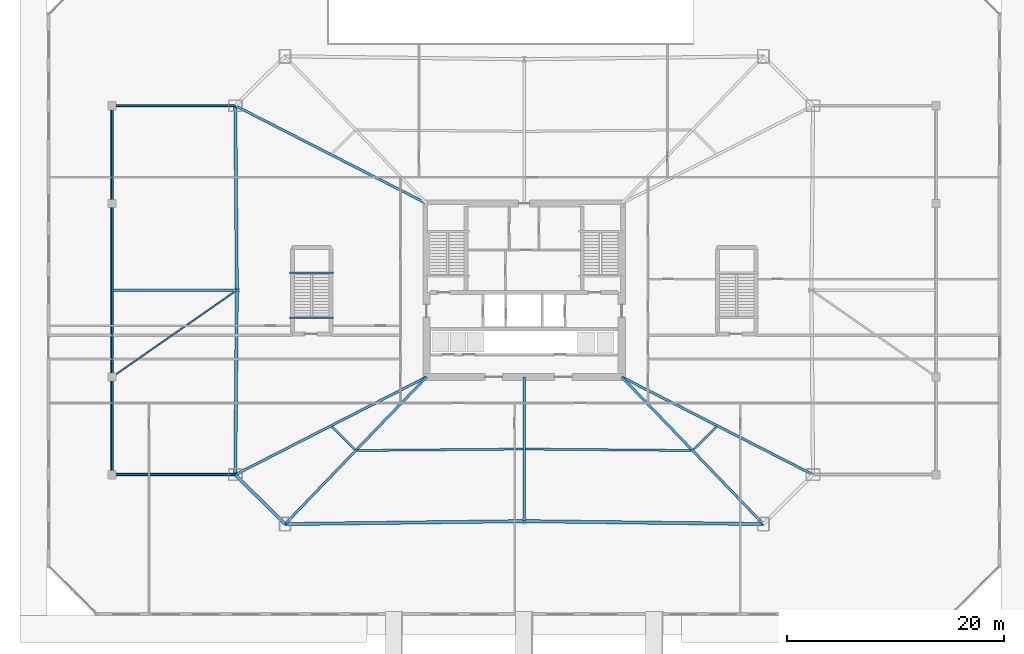
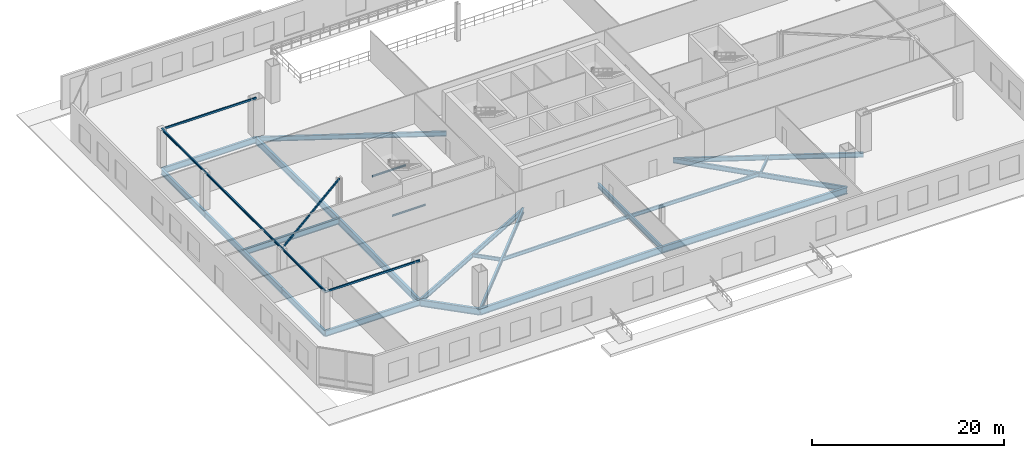
# One storey, part 3 of 23: 26 beams, 3 members.
"""IFC4 building model written with IfcOpenShell, lengths in metres."""

from ifc_helpers import new_model, si_unit, direction, frame, origin, origin_2d, place, context, subcontext, project, spatial, hollow_rectangle, i_section, extrude, material, material_profile, profile_set, type_object, element, save


model = new_model("IFC4")

# Units and contexts
model_context = context("Model", 3, precision=1e-05, world=origin(), true_north=direction((0.0, 1.0)))
body_context = subcontext(model_context, "Body", "Model", "MODEL_VIEW")
ifc_project = project(units=[si_unit("LENGTHUNIT", "METRE"), si_unit("AREAUNIT", "SQUARE_METRE"), si_unit("VOLUMEUNIT", "CUBIC_METRE"), si_unit("PLANEANGLEUNIT", "RADIAN"), si_unit("MASSUNIT", "GRAM", prefix="KILO")], contexts=[model_context])

# Site, building, storey
site_placement = place(None, origin())
site = spatial("IfcSite", under=ifc_project, at=site_placement, CompositionType="ELEMENT")
building_placement = place(site_placement, origin())
building = spatial("IfcBuilding", under=site, at=building_placement, Name="Caelvoria Tower", CompositionType="ELEMENT")
storey_placement = place(building_placement, origin())
storey = spatial("IfcBuildingStorey", under=building, at=storey_placement, Name="L00", CompositionType="ELEMENT", Elevation=0.0)

# Beams
ifc_material_1 = material(Name="Structural Steel ASTM A992 Gr.50", Category="steel")
ifc_material_profile_1 = material_profile(ifc_material_1, i_section(OverallWidth=0.26708984375, OverallDepth=0.76611328125, WebThickness=0.014892578125, FlangeThickness=0.023681640625, FilletRadius=0.02001953125, at=origin_2d()), Name="Structural Steel ASTM A992 Gr.50")
ifc_profile_set_1 = profile_set([ifc_material_profile_1], Name="W760X185 - Structural Steel ASTM A992 Gr.50")
beam_type_1 = type_object("IfcBeamType", Name="Basement Heavy Girder W760X185", PredefinedType="BEAM", material=ifc_profile_set_1)
beam_1_placement = place(storey_placement, frame((8.0, 14.984375, -0.73291015625), z_axis=(0.0, 1.0, 0.0), x_axis=(-1.0, 0.0, 0.0)))
element("IfcBeam", 1, at=beam_1_placement, inside=storey, type_object=beam_type_1, Name="Podium Wing Edge Girder L00-W1", PredefinedType="BEAM", context=body_context, shape_type="SweptSolid", body=[
    extrude(i_section(OverallWidth=0.26708984375, OverallDepth=0.76611328125, WebThickness=0.014892578125, FlangeThickness=0.023681640625, FilletRadius=0.02001953125, at=origin_2d()), origin(), (0.0, 0.0, 1.0), 9.015625),
])
beam_2_placement = place(storey_placement, frame((8.0, 24.0, -0.73291015625), z_axis=(0.0, 1.0, 0.0), x_axis=(-1.0, 0.0, 0.0)))
element("IfcBeam", 2, at=beam_2_placement, inside=storey, type_object=beam_type_1, Name="Podium Wing Edge Girder L00-W2", PredefinedType="BEAM", context=body_context, shape_type="SweptSolid", body=[
    extrude(i_section(OverallWidth=0.26708984375, OverallDepth=0.76611328125, WebThickness=0.014892578125, FlangeThickness=0.023681640625, FilletRadius=0.02001953125, at=origin_2d()), origin(), (0.0, 0.0, 1.0), 16.0),
])
beam_3_placement = place(storey_placement, frame((8.0, 40.0, -0.73291015625), z_axis=(0.0, 1.0, 0.0), x_axis=(-1.0, 0.0, 0.0)))
element("IfcBeam", 3, at=beam_3_placement, inside=storey, type_object=beam_type_1, Name="Podium Wing Edge Girder L00-W3", PredefinedType="BEAM", context=body_context, shape_type="SweptSolid", body=[
    extrude(i_section(OverallWidth=0.26708984375, OverallDepth=0.76611328125, WebThickness=0.014892578125, FlangeThickness=0.023681640625, FilletRadius=0.02001953125, at=origin_2d()), origin(), (0.0, 0.0, 1.0), 9.015625),
])
beam_4_placement = place(storey_placement, frame((8.0, 14.984375, -0.73291015625), z_axis=(1.0, 0.0, 0.0), x_axis=(0.0, 1.0, 0.0)))
element("IfcBeam", 4, at=beam_4_placement, inside=storey, type_object=beam_type_1, Name="Podium Wing Tie Girder L00-WS", PredefinedType="BEAM", context=body_context, shape_type="SweptSolid", body=[
    extrude(i_section(OverallWidth=0.26708984375, OverallDepth=0.76611328125, WebThickness=0.014892578125, FlangeThickness=0.023681640625, FilletRadius=0.02001953125, at=origin_2d()), origin(), (0.0, 0.0, 1.0), 11.3583984375),
])
beam_5_placement = place(storey_placement, frame((8.0, 32.0, -0.73291015625), z_axis=(1.0, 0.0, 0.0), x_axis=(0.0, 1.0, 0.0)))
element("IfcBeam", 5, at=beam_5_placement, inside=storey, type_object=beam_type_1, Name="Podium Wing Tie Girder L00-WM", PredefinedType="BEAM", context=body_context, shape_type="SweptSolid", body=[
    extrude(i_section(OverallWidth=0.26708984375, OverallDepth=0.76611328125, WebThickness=0.014892578125, FlangeThickness=0.023681640625, FilletRadius=0.02001953125, at=origin_2d()), origin(), (0.0, 0.0, 1.0), 11.5),
])
beam_6_placement = place(storey_placement, frame((8.0, 49.015625, -0.73291015625), z_axis=(1.0, 0.0, 0.0), x_axis=(0.0, 1.0, 0.0)))
element("IfcBeam", 6, at=beam_6_placement, inside=storey, type_object=beam_type_1, Name="Podium Wing Tie Girder L00-WN", PredefinedType="BEAM", context=body_context, shape_type="SweptSolid", body=[
    extrude(i_section(OverallWidth=0.26708984375, OverallDepth=0.76611328125, WebThickness=0.014892578125, FlangeThickness=0.023681640625, FilletRadius=0.02001953125, at=origin_2d()), origin(), (0.0, 0.0, 1.0), 11.3583984375),
])
ifc_material_profile_2 = material_profile(ifc_material_1, i_section(OverallWidth=0.134033203125, OverallDepth=0.2099609375, WebThickness=0.00634765625, FlangeThickness=0.01025390625, FilletRadius=0.010009765625, at=origin_2d()), Name="Structural Steel ASTM A992 Gr.50")
ifc_profile_set_2 = profile_set([ifc_material_profile_2], Name="W200X31.3 - Structural Steel ASTM A992 Gr.50")
beam_type_2 = type_object("IfcBeamType", Name="Canopy Edge Trim Beam W200X31.3", PredefinedType="BEAM", material=ifc_profile_set_2)
for number, where, z_axis, x_axis, name in (
    (7, (24.3798828125, 33.60009765625, 2.195068359375), (1.0, 0.0, 0.0), (0.0, 1.0, 0.0), "ST-03 Half-Landing Support Beam L00"),
    (8, (24.3798828125, 29.449951171875, -0.304931640625), (1.0, 0.0, 0.0), (0.0, 1.0, 0.0), "ST-03 Floor-Landing Support Beam L00"),
):
    element("IfcBeam", number, at=place(storey_placement, frame(where, z_axis=z_axis, x_axis=x_axis)), inside=storey, type_object=beam_type_2, Name=name, PredefinedType="BEAM", context=body_context, shape_type="SweptSolid", body=[
        extrude(i_section(OverallWidth=0.134033203125, OverallDepth=0.2099609375, WebThickness=0.00634765625, FlangeThickness=0.01025390625, FilletRadius=0.010009765625, at=origin_2d()), origin(), (0.0, 0.0, 1.0), 4.0400390625),
    ])
ifc_material_profile_3 = material_profile(ifc_material_1, i_section(OverallWidth=0.14697265625, OverallDepth=0.261962890625, WebThickness=0.006591796875, FlangeThickness=0.01123046875, FilletRadius=0.010986328125, at=origin_2d()), Name="Structural Steel ASTM A992 Gr.50")
ifc_profile_set_3 = profile_set([ifc_material_profile_3], Name="W250X38.5 - Structural Steel ASTM A992 Gr.50")
beam_type_3 = type_object("IfcBeamType", Name="Opening Structural Steel Lintel W250X38.5", PredefinedType="LINTEL", material=ifc_profile_set_3)
beam_7_placement = place(storey_placement, frame((8.0, 14.984375, 4.590087890625), z_axis=(0.0, 1.0, 0.0), x_axis=(-1.0, 0.0, 0.0)))
element("IfcBeam", 9, at=beam_7_placement, inside=storey, type_object=beam_type_3, Name="Arcade Opening Lintel L00-1-1", PredefinedType="LINTEL", context=body_context, shape_type="SweptSolid", body=[
    extrude(i_section(OverallWidth=0.14697265625, OverallDepth=0.261962890625, WebThickness=0.006591796875, FlangeThickness=0.01123046875, FilletRadius=0.010986328125, at=origin_2d()), origin(), (0.0, 0.0, 1.0), 9.015625),
])
beam_8_placement = place(storey_placement, frame((8.0, 24.0, 4.590087890625), z_axis=(0.0, 1.0, 0.0), x_axis=(-1.0, 0.0, 0.0)))
element("IfcBeam", 10, at=beam_8_placement, inside=storey, type_object=beam_type_3, Name="Arcade Opening Lintel L00-1-2", PredefinedType="LINTEL", context=body_context, shape_type="SweptSolid", body=[
    extrude(i_section(OverallWidth=0.14697265625, OverallDepth=0.261962890625, WebThickness=0.006591796875, FlangeThickness=0.01123046875, FilletRadius=0.010986328125, at=origin_2d()), origin(), (0.0, 0.0, 1.0), 16.0),
])
beam_9_placement = place(storey_placement, frame((8.0, 40.0, 4.590087890625), z_axis=(0.0, 1.0, 0.0), x_axis=(-1.0, 0.0, 0.0)))
element("IfcBeam", 11, at=beam_9_placement, inside=storey, type_object=beam_type_3, Name="Arcade Opening Lintel L00-1-3", PredefinedType="LINTEL", context=body_context, shape_type="SweptSolid", body=[
    extrude(i_section(OverallWidth=0.14697265625, OverallDepth=0.261962890625, WebThickness=0.006591796875, FlangeThickness=0.01123046875, FilletRadius=0.010986328125, at=origin_2d()), origin(), (0.0, 0.0, 1.0), 9.015625),
])

# Members
ifc_material_2 = material(Name="Structural Steel ASTM A500 Gr.C", Category="steel")
ifc_material_profile_4 = material_profile(ifc_material_2, hollow_rectangle(XDim=0.14990234375, YDim=0.25, WallThickness=0.010009765625, InnerFilletRadius=0.010009765625, OuterFilletRadius=0.02001953125, at=origin_2d()), Name="Structural Steel ASTM A500 Gr.C")
ifc_profile_set_4 = profile_set([ifc_material_profile_4], Name="HSS250X150X10 - Structural Steel ASTM A500 Gr.C")
member_type = type_object("IfcMemberType", Name="Podium Canopy Secondary Purlin HSS250X150X10", PredefinedType="PURLIN", material=ifc_profile_set_4)
member_1_placement = place(storey_placement, frame((8.0, 14.984375, 4.56005859375), z_axis=(1.0, 0.0, 0.0), x_axis=(0.0, 1.0, 0.0)))
element("IfcMember", 12, at=member_1_placement, inside=storey, type_object=member_type, Name="Podium Canopy Purlin L00-1-1", PredefinedType="PURLIN", context=body_context, shape_type="SweptSolid", body=[
    extrude(hollow_rectangle(XDim=0.14990234375, YDim=0.25, WallThickness=0.010009765625, InnerFilletRadius=0.010009765625, OuterFilletRadius=0.02001953125, at=origin_2d()), origin(), (0.0, 0.0, 1.0), 11.3583984375),
])
member_2_placement = place(storey_placement, frame((8.0, 24.0, 4.56005859375), z_axis=(0.820905201785, 0.571064488199, 0.0), x_axis=(-0.571064488199, 0.820905201785, 0.0)))
element("IfcMember", 13, at=member_2_placement, inside=storey, type_object=member_type, Name="Podium Canopy Purlin L00-1-2", PredefinedType="PURLIN", context=body_context, shape_type="SweptSolid", body=[
    extrude(hollow_rectangle(XDim=0.14990234375, YDim=0.25, WallThickness=0.010009765625, InnerFilletRadius=0.010009765625, OuterFilletRadius=0.02001953125, at=origin_2d()), origin(), (0.0, 0.0, 1.0), 14.009033203125),
])
member_3_placement = place(storey_placement, frame((8.0, 49.015625, 4.56005859375), z_axis=(1.0, 0.0, 0.0), x_axis=(0.0, 1.0, 0.0)))
element("IfcMember", 14, at=member_3_placement, inside=storey, type_object=member_type, Name="Podium Canopy Purlin L00-1-3", PredefinedType="PURLIN", context=body_context, shape_type="SweptSolid", body=[
    extrude(hollow_rectangle(XDim=0.14990234375, YDim=0.25, WallThickness=0.010009765625, InnerFilletRadius=0.010009765625, OuterFilletRadius=0.02001953125, at=origin_2d()), origin(), (0.0, 0.0, 1.0), 11.3583984375),
])

# Beams
ifc_material_profile_5 = material_profile(ifc_material_1, i_section(OverallWidth=0.2939453125, OverallDepth=0.85107421875, WebThickness=0.01611328125, FlangeThickness=0.02685546875, FilletRadius=0.02197265625, at=origin_2d()), Name="Structural Steel ASTM A992 Gr.50")
ifc_profile_set_5 = profile_set([ifc_material_profile_5], Name="W840X226 - Structural Steel ASTM A992 Gr.50")
beam_type_4 = type_object("IfcBeamType", Name="Podium Long-Span Girder W840X226", PredefinedType="BEAM", material=ifc_profile_set_5)
for number, where, z_axis, x_axis, name in (
    (15, (23.943359375, 10.42919921875, -0.775390625), (0.999924666978, 0.01227437855, 0.0), (-0.01227437855, 0.999924666978, 0.0), "Perimeter Spandrel Girder L00-00"),
    (16, (46.0, 10.699951171875, -0.775390625), (0.999924666978, -0.01227437855, 0.0), (0.01227437855, 0.999924666978, 0.0), "Perimeter Spandrel Girder L00-01"),
):
    element("IfcBeam", number, at=place(storey_placement, frame(where, z_axis=z_axis, x_axis=x_axis)), inside=storey, type_object=beam_type_4, Name=name, PredefinedType="BEAM", context=body_context, shape_type="SweptSolid", body=[
        extrude(i_section(OverallWidth=0.2939453125, OverallDepth=0.85107421875, WebThickness=0.01611328125, FlangeThickness=0.02685546875, FilletRadius=0.02197265625, at=origin_2d()), origin(), (0.0, 0.0, 1.0), 22.058349609375),
    ])
for number, where, z_axis, x_axis, name in (
    (17, (19.3583984375, 49.015625, -0.775390625), (0.00832156677, -0.999965375164, 0.0), (0.999965375164, 0.00832156677, 0.0), "Perimeter Spandrel Girder L00-09"),
    (18, (19.5, 32.0, -0.775390625), (-0.00832156677, -0.999965375164, 0.0), (0.999965375164, -0.00832156677, 0.0), "Perimeter Spandrel Girder L00-10"),
):
    element("IfcBeam", number, at=place(storey_placement, frame(where, z_axis=z_axis, x_axis=x_axis)), inside=storey, type_object=beam_type_4, Name=name, PredefinedType="BEAM", context=body_context, shape_type="SweptSolid", body=[
        extrude(i_section(OverallWidth=0.2939453125, OverallDepth=0.85107421875, WebThickness=0.01611328125, FlangeThickness=0.02685546875, FilletRadius=0.02197265625, at=origin_2d()), origin(), (0.0, 0.0, 1.0), 17.01611328125),
    ])
beam_10_placement = place(storey_placement, frame((19.3583984375, 14.984375, -0.775390625), z_axis=(0.709407278283, -0.704798775197, 0.0), x_axis=(0.704798775197, 0.709407278283, 0.0)))
element("IfcBeam", 19, at=beam_10_placement, inside=storey, type_object=beam_type_4, Name="Perimeter Spandrel Girder L00-11", PredefinedType="BEAM", context=body_context, shape_type="SweptSolid", body=[
    extrude(i_section(OverallWidth=0.2939453125, OverallDepth=0.85107421875, WebThickness=0.01611328125, FlangeThickness=0.02685546875, FilletRadius=0.02197265625, at=origin_2d()), origin(), (0.0, 0.0, 1.0), 6.463134765625),
])
ifc_material_profile_6 = material_profile(ifc_material_1, i_section(OverallWidth=0.22900390625, OverallDepth=0.612060546875, WebThickness=0.011962890625, FlangeThickness=0.01953125, FilletRadius=0.01806640625, at=origin_2d()), Name="Structural Steel ASTM A992 Gr.50")
ifc_profile_set_6 = profile_set([ifc_material_profile_6], Name="W610X125 - Structural Steel ASTM A992 Gr.50")
beam_type_5 = type_object("IfcBeamType", Name="Primary Radial Floor Girder W610X125", PredefinedType="BEAM", material=ifc_profile_set_6)
beam_11_placement = place(storey_placement, frame((37.0, 24.0, -0.656005859375), z_axis=(-0.69332372519, -0.720626263807, 0.0), x_axis=(0.720626263807, -0.69332372519, 0.0)))
element("IfcBeam", 20, at=beam_11_placement, inside=storey, type_object=beam_type_5, Name="Primary Floor Girder L00-00", PredefinedType="BEAM", context=body_context, shape_type="SweptSolid", body=[
    extrude(i_section(OverallWidth=0.22900390625, OverallDepth=0.612060546875, WebThickness=0.011962890625, FlangeThickness=0.01953125, FilletRadius=0.01806640625, at=origin_2d()), origin(), (0.0, 0.0, 1.0), 18.83203125),
])
beam_12_placement = place(storey_placement, frame((46.0, 24.0, -0.656005859375), z_axis=(0.0, -1.0, 0.0), x_axis=(1.0, 0.0, 0.0)))
element("IfcBeam", 21, at=beam_12_placement, inside=storey, type_object=beam_type_5, Name="Primary Floor Girder L00-01", PredefinedType="BEAM", context=body_context, shape_type="SweptSolid", body=[
    extrude(i_section(OverallWidth=0.22900390625, OverallDepth=0.612060546875, WebThickness=0.011962890625, FlangeThickness=0.01953125, FilletRadius=0.01806640625, at=origin_2d()), origin(), (0.0, 0.0, 1.0), 13.300048828125),
])
beam_13_placement = place(storey_placement, frame((55.0, 24.0, -0.656005859375), z_axis=(0.69332372519, -0.720626263807, 0.0), x_axis=(0.720626263807, 0.69332372519, 0.0)))
element("IfcBeam", 22, at=beam_13_placement, inside=storey, type_object=beam_type_5, Name="Primary Floor Girder L00-02", PredefinedType="BEAM", context=body_context, shape_type="SweptSolid", body=[
    extrude(i_section(OverallWidth=0.22900390625, OverallDepth=0.612060546875, WebThickness=0.011962890625, FlangeThickness=0.01953125, FilletRadius=0.01806640625, at=origin_2d()), origin(), (0.0, 0.0, 1.0), 18.83203125),
])
for number, where, z_axis, x_axis, name in (
    (23, (55.0, 24.0, -0.656005859375), (0.890459095292, -0.455063291876, 0.0), (0.455063291876, 0.890459095292, 0.0), "Primary Floor Girder L00-03"),
    (24, (37.0, 40.0, -0.656005859375), (-0.890459095292, 0.455063291876, 0.0), (-0.455063291876, -0.890459095292, 0.0), "Primary Floor Girder L00-09"),
    (25, (37.0, 24.0, -0.656005859375), (-0.890459095292, -0.455063291876, 0.0), (0.455063291876, -0.890459095292, 0.0), "Primary Floor Girder L00-11"),
):
    element("IfcBeam", number, at=place(storey_placement, frame(where, z_axis=z_axis, x_axis=x_axis)), inside=storey, type_object=beam_type_5, Name=name, PredefinedType="BEAM", context=body_context, shape_type="SweptSolid", body=[
        extrude(i_section(OverallWidth=0.22900390625, OverallDepth=0.612060546875, WebThickness=0.011962890625, FlangeThickness=0.01953125, FilletRadius=0.01806640625, at=origin_2d()), origin(), (0.0, 0.0, 1.0), 19.811767578125),
    ])
ifc_material_profile_7 = material_profile(ifc_material_1, i_section(OverallWidth=0.18994140625, OverallDepth=0.45703125, WebThickness=0.009033203125, FlangeThickness=0.014404296875, FilletRadius=0.014892578125, at=origin_2d()), Name="Structural Steel ASTM A992 Gr.50")
ifc_profile_set_7 = profile_set([ifc_material_profile_7], Name="W460X74 - Structural Steel ASTM A992 Gr.50")
beam_type_6 = type_object("IfcBeamType", Name="Secondary Floor Beam W460X74", PredefinedType="BEAM", material=ifc_profile_set_7)
for number, where, z_axis, x_axis, name in (
    (26, (30.5966796875, 17.2158203125, -0.57861328125), (0.9999620801, 0.00870852243, 0.0), (-0.00870852243, 0.9999620801, 0.0), "Secondary Floor Beam L00-00"),
    (27, (46.125, 17.348876953125, -0.57861328125), (0.9999620801, -0.00870852243, 0.0), (0.00870852243, 0.9999620801, 0.0), "Secondary Floor Beam L00-01"),
):
    element("IfcBeam", number, at=place(storey_placement, frame(where, z_axis=z_axis, x_axis=x_axis)), inside=storey, type_object=beam_type_6, Name=name, PredefinedType="BEAM", context=body_context, shape_type="SweptSolid", body=[
        extrude(i_section(OverallWidth=0.18994140625, OverallDepth=0.45703125, WebThickness=0.009033203125, FlangeThickness=0.014404296875, FilletRadius=0.014892578125, at=origin_2d()), origin(), (0.0, 0.0, 1.0), 15.27880859375),
    ])
beam_14_placement = place(storey_placement, frame((61.616943359375, 17.302734375, -0.57861328125), z_axis=(0.709395928351, 0.704810199159, 0.0), x_axis=(-0.704810199159, 0.709395928351, 0.0)))
element("IfcBeam", 28, at=beam_14_placement, inside=storey, type_object=beam_type_6, Name="Secondary Floor Beam L00-02", PredefinedType="BEAM", context=body_context, shape_type="SweptSolid", body=[
    extrude(i_section(OverallWidth=0.18994140625, OverallDepth=0.45703125, WebThickness=0.009033203125, FlangeThickness=0.014404296875, FilletRadius=0.014892578125, at=origin_2d()), origin(), (0.0, 0.0, 1.0), 2.9814453125),
])
beam_15_placement = place(storey_placement, frame((28.267822265625, 19.404052734375, -0.57861328125), z_axis=(0.709436603289, -0.704769257214, 0.0), x_axis=(0.704769257214, 0.709436603289, 0.0)))
element("IfcBeam", 29, at=beam_15_placement, inside=storey, type_object=beam_type_6, Name="Secondary Floor Beam L00-11", PredefinedType="BEAM", context=body_context, shape_type="SweptSolid", body=[
    extrude(i_section(OverallWidth=0.18994140625, OverallDepth=0.45703125, WebThickness=0.009033203125, FlangeThickness=0.014404296875, FilletRadius=0.014892578125, at=origin_2d()), origin(), (0.0, 0.0, 1.0), 2.981689453125),
])

save(model, "model.ifc")
